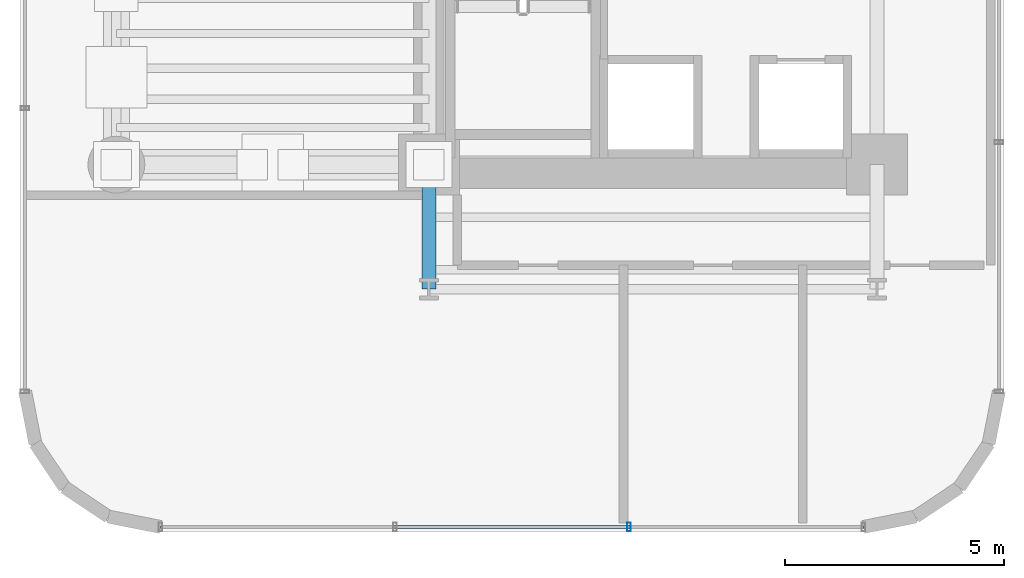
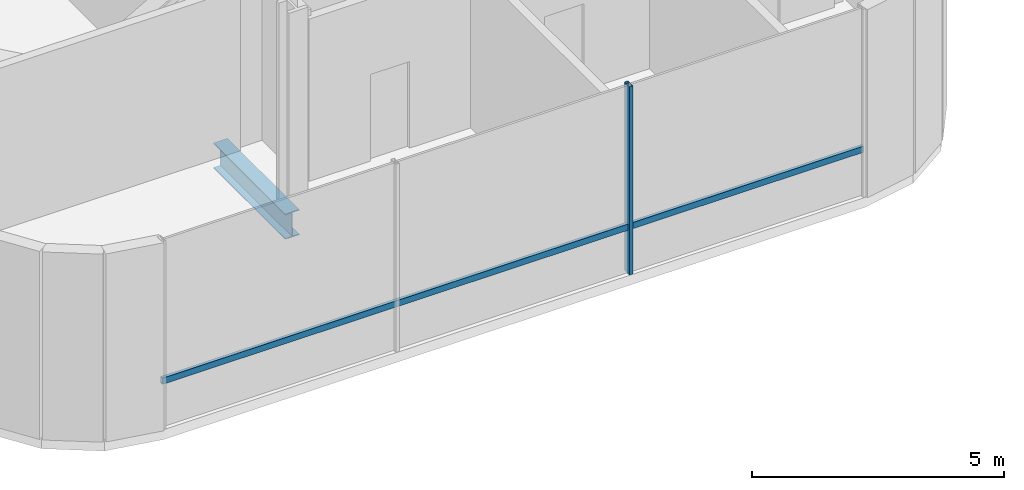
# One storey, part 3 of 39: 2 members, 1 beam, 1 element without a shape of its own.
"""IFC4 building model written with IfcOpenShell, lengths in metres."""

from ifc_helpers import new_model, si_unit, direction, frame, origin, origin_2d, place, context, subcontext, project, spatial, hollow_rectangle, i_section, extrude, source, transform, mapped, material, material_profile, profile_set, type_object, element, aggregate, save


model = new_model("IFC4")

# Units and contexts
model_context = context("Model", 3, precision=1e-05, world=origin(), true_north=direction((0.0, 1.0)))
body_context = subcontext(model_context, "Body", "Model", "MODEL_VIEW")
ifc_project = project(units=[si_unit("LENGTHUNIT", "METRE"), si_unit("AREAUNIT", "SQUARE_METRE"), si_unit("VOLUMEUNIT", "CUBIC_METRE"), si_unit("PLANEANGLEUNIT", "RADIAN"), si_unit("MASSUNIT", "GRAM", prefix="KILO")], contexts=[model_context])

# Site, building, storey
site_placement = place(None, origin())
site = spatial("IfcSite", under=ifc_project, at=site_placement, CompositionType="ELEMENT")
building_placement = place(site_placement, origin())
building = spatial("IfcBuilding", under=site, at=building_placement, Name="Valdorenza Pilgrim Sanctuary Tower", CompositionType="ELEMENT")
storey_placement = place(building_placement, frame((0.0, 0.0, 96.300048828125)))
storey = spatial("IfcBuildingStorey", under=building, at=storey_placement, Name="L24", CompositionType="ELEMENT", Elevation=96.300048828125)

# Beam
ifc_material_1 = material(Name="Steel ASTM A992 Grade 50", Category="steel")
ifc_material_profile_1 = material_profile(ifc_material_1, i_section(OverallWidth=0.323974609375, OverallDepth=0.611083984375, WebThickness=0.0126953125, FlangeThickness=0.01904296875, at=origin_2d()), Name="W24X104")
ifc_profile_set_1 = profile_set([ifc_material_profile_1], Name="Steel ASTM A992 Grade 50")
beam_type = type_object("IfcBeamType", Name="STR-BM-GRD-W24B", PredefinedType="BEAM", material=ifc_profile_set_1)
shared_shape_1 = source(origin(), body_context, "Body", "SweptSolid", [
    extrude(i_section(OverallWidth=0.323974609375, OverallDepth=0.611083984375, WebThickness=0.0126953125, FlangeThickness=0.01904296875, at=origin_2d()), origin(), (0.0, 0.0, 1.0), 2.849853515625),
])
beam_placement = place(storey_placement, frame((-22.64990234375, -13.449951171875, -0.545654296875), z_axis=(0.0, 1.0, 0.0), x_axis=(-1.0, 0.0, 0.0)))
element("IfcBeam", 1, at=beam_placement, inside=storey, type_object=beam_type, Name="L24 Floor Girder WA-S-LW", PredefinedType="BEAM", context=body_context, shape_type="MappedRepresentation", body=[
    mapped(shared_shape_1, transform((0.0, 0.0, 0.0), x_axis=(1.0, 0.0, 0.0), y_axis=(0.0, 1.0, 0.0), z_axis=(0.0, 0.0, 1.0), scale=1.0)),
])

# Curtain wall, members
ifc_material_2 = material(Name="Curtain-wall IGU glazing", Category="glass")
curtain_wall_type = type_object("IfcCurtainWallType", Name="CW-SYS-02", PredefinedType="NOTDEFINED", material=ifc_material_2)
curtain_wall_placement = place(storey_placement, origin())
curtain_wall = element("IfcCurtainWall", 2, at=curtain_wall_placement, inside=storey, type_object=curtain_wall_type, Name="L24 Curtain Wall CW-L24-1-46", PredefinedType="NOTDEFINED")
ifc_material_3 = material(Name="Anodised aluminium AW-6060", Category="aluminium")
ifc_material_profile_2 = material_profile(ifc_material_3, hollow_rectangle(XDim=0.074951171875, YDim=0.14990234375, WallThickness=0.00390625, at=origin_2d()), Name="ALU-T 150x75x4")
ifc_profile_set_2 = profile_set([ifc_material_profile_2], Name="Anodised aluminium AW-6060")
member_type_1 = type_object("IfcMemberType", Name="CW-TRN-02", PredefinedType="USERDEFINED", material=ifc_profile_set_2)
shared_shape_2 = source(origin(), body_context, "Body", "SweptSolid", [
    extrude(hollow_rectangle(XDim=0.074951171875, YDim=0.14990234375, WallThickness=0.00390625, at=origin_2d()), origin(), (0.0, 0.0, 1.0), 16.07861328125),
])
member_1_placement = place(storey_placement, frame((-12.710693359375, -18.889892578125, 1.119873046875), z_axis=(-1.0, 0.0, 0.0), x_axis=(0.0, -1.0, 0.0)))
member_1 = element("IfcMember", 3, at=member_1_placement, type_object=member_type_1, Name="CW-L24-1-46 Transom 1", ObjectType="TRANSOM", PredefinedType="USERDEFINED", context=body_context, shape_type="MappedRepresentation", body=[
    mapped(shared_shape_2, transform((0.0, 0.0, 0.0), x_axis=(1.0, 0.0, 0.0), y_axis=(0.0, 1.0, 0.0), z_axis=(0.0, 0.0, 1.0), scale=1.0)),
])
ifc_material_profile_3 = material_profile(ifc_material_3, hollow_rectangle(XDim=0.0849609375, YDim=0.199951171875, WallThickness=0.0048828125, at=origin_2d()), Name="ALU-M 200x85x5")
ifc_profile_set_3 = profile_set([ifc_material_profile_3], Name="Anodised aluminium AW-6060")
member_type_2 = type_object("IfcMemberType", Name="CW-MUL-02", PredefinedType="MULLION", material=ifc_profile_set_3)
shared_shape_3 = source(origin(), body_context, "Body", "SweptSolid", [
    extrude(hollow_rectangle(XDim=0.0849609375, YDim=0.199951171875, WallThickness=0.0048828125, at=origin_2d()), origin(), (0.0, 0.0, 1.0), 4.56005859375),
])
member_2_placement = place(storey_placement, frame((-18.0703125, -18.889892578125, 0.0), z_axis=(0.0, 0.0, 1.0), x_axis=(-1.0, 0.0, 0.0)))
member_2 = element("IfcMember", 4, at=member_2_placement, type_object=member_type_2, Name="CW-L24-1-46 Mullion 2", PredefinedType="MULLION", context=body_context, shape_type="MappedRepresentation", body=[
    mapped(shared_shape_3, transform((0.0, 0.0, 0.0), x_axis=(1.0, 0.0, 0.0), y_axis=(0.0, 1.0, 0.0), z_axis=(0.0, 0.0, 1.0), scale=1.0)),
])
aggregate(curtain_wall, [member_2, member_1])

save(model, "model.ifc")
